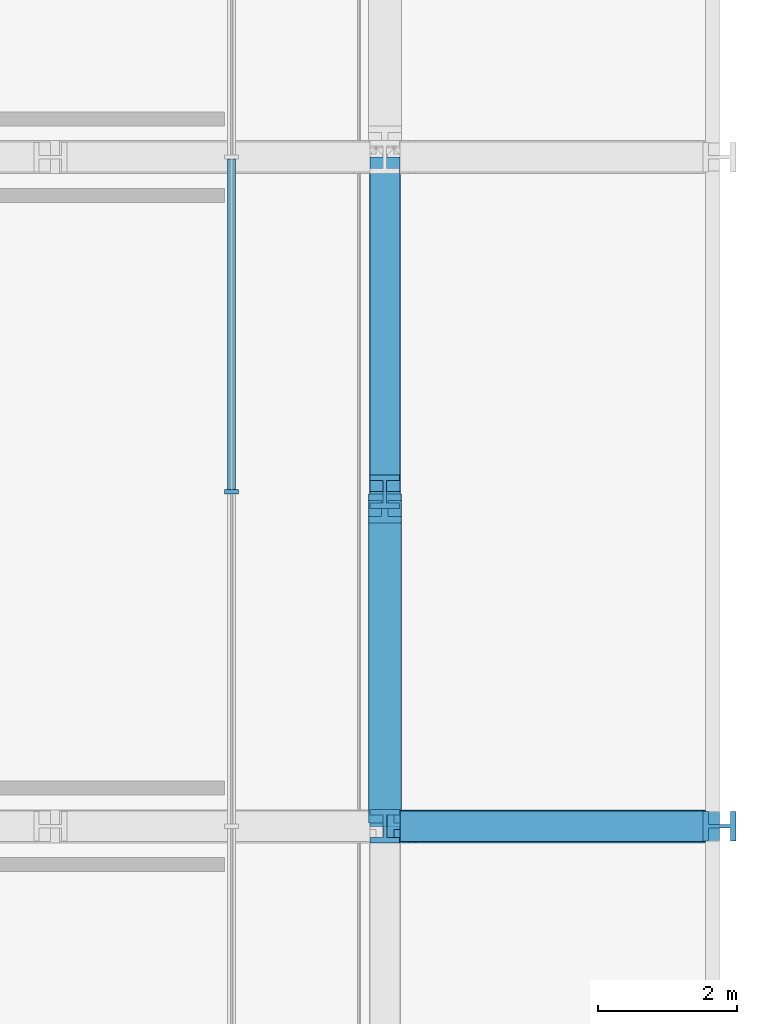
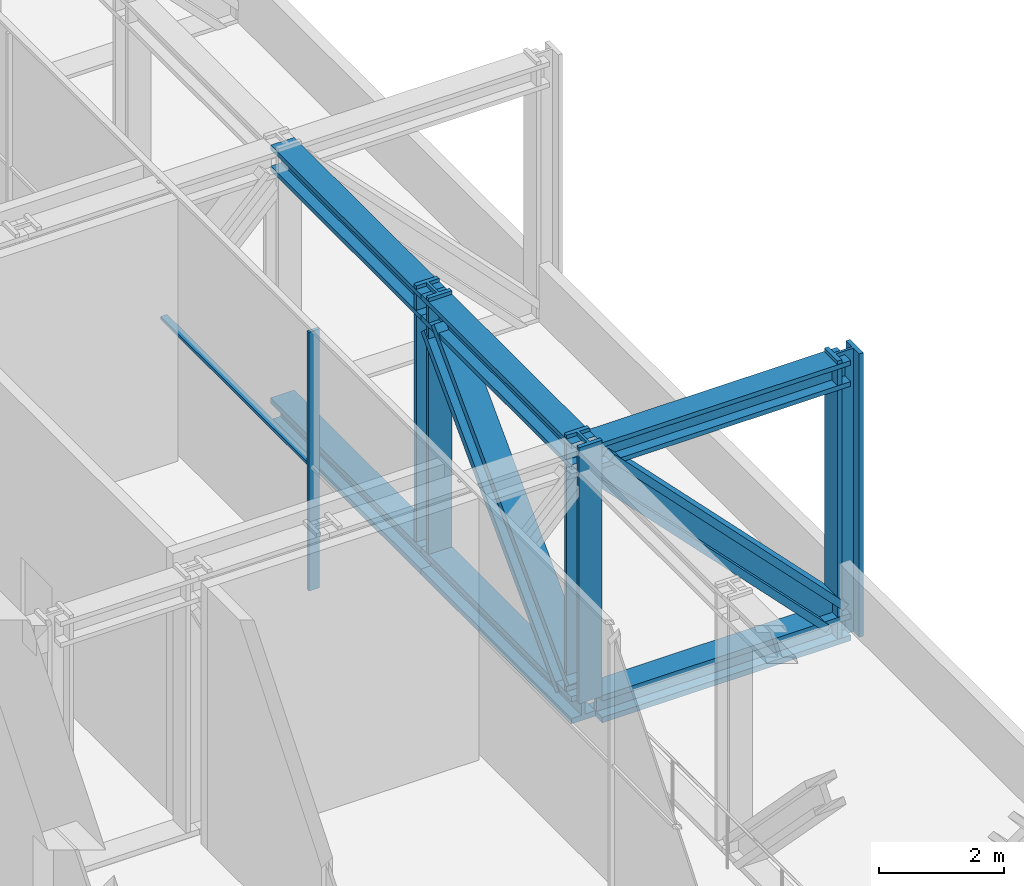
# One storey, part 10 of 25: 13 members, 1 element without a shape of its own.
"""IFC4 building model written with IfcOpenShell, lengths in metres."""

from ifc_helpers import new_model, si_unit, direction, frame, origin, origin_2d, place, context, subcontext, project, spatial, rectangle, i_section, extrude, material, layer, layer_set, material_profile, profile_set, type_object, element, aggregate, save


model = new_model("IFC4")

# Units and contexts
model_context = context("Model", 3, precision=1e-05, world=origin(), true_north=direction((0.0, 1.0)))
body_context = subcontext(model_context, "Body", "Model", "MODEL_VIEW")
ifc_project = project(units=[si_unit("LENGTHUNIT", "METRE"), si_unit("AREAUNIT", "SQUARE_METRE"), si_unit("VOLUMEUNIT", "CUBIC_METRE"), si_unit("PLANEANGLEUNIT", "RADIAN"), si_unit("MASSUNIT", "GRAM", prefix="KILO")], contexts=[model_context])

# Site, building, storey
site_placement = place(None, origin())
site = spatial("IfcSite", under=ifc_project, at=site_placement, CompositionType="ELEMENT")
building_placement = place(site_placement, origin())
building = spatial("IfcBuilding", under=site, at=building_placement, Name="Madar Terraces", CompositionType="ELEMENT")
storey_placement = place(building_placement, frame((0.0, 0.0, 113.699951171875)))
storey = spatial("IfcBuildingStorey", under=building, at=storey_placement, Name="L29", CompositionType="ELEMENT", Elevation=113.699951171875)

# Members
ifc_material_1 = material(Name="Steel ASTM A913 Grade 65", Category="steel")
ifc_material_profile_1 = material_profile(ifc_material_1, i_section(OverallWidth=0.44189453125, OverallDepth=0.53076171875, WebThickness=0.06591796875, FlangeThickness=0.105712890625, at=origin_2d()), Name="W14x605")
ifc_profile_set_1 = profile_set([ifc_material_profile_1], Name="Steel ASTM A913 Grade 65")
member_type_1 = type_object("IfcMemberType", Name="BC4 W14x605", PredefinedType="CHORD", material=ifc_profile_set_1)
member_1_placement = place(storey_placement, frame((57.60009765625, 28.800048828125, -0.154541015625), z_axis=(0.0, 1.0, 0.0), x_axis=(-1.0, 0.0, 0.0)))
element("IfcMember", 1, at=member_1_placement, inside=storey, type_object=member_type_1, Name="Exoskeleton truss ring bottom chord BC4", PredefinedType="CHORD", context=body_context, shape_type="SweptSolid", body=[
    extrude(i_section(OverallWidth=0.44189453125, OverallDepth=0.53076171875, WebThickness=0.06591796875, FlangeThickness=0.105712890625, at=origin_2d()), origin(), (0.0, 0.0, 1.0), 4.800048828125),
])
member_2_placement = place(storey_placement, frame((57.60009765625, 33.60009765625, -0.154541015625), z_axis=(0.0, 1.0, 0.0), x_axis=(-1.0, 0.0, 0.0)))
element("IfcMember", 2, at=member_2_placement, inside=storey, type_object=member_type_1, Name="Exoskeleton truss ring bottom chord BC4", PredefinedType="CHORD", context=body_context, shape_type="SweptSolid", body=[
    extrude(i_section(OverallWidth=0.44189453125, OverallDepth=0.53076171875, WebThickness=0.06591796875, FlangeThickness=0.105712890625, at=origin_2d()), origin(), (0.0, 0.0, 1.0), 4.7998046875),
])
member_3_placement = place(storey_placement, frame((62.39990234375, 28.800048828125, -0.154541015625), z_axis=(-1.0, 0.0, 0.0), x_axis=(0.0, -1.0, 0.0)))
element("IfcMember", 3, at=member_3_placement, inside=storey, type_object=member_type_1, Name="Exoskeleton truss cross E28.8 bottom chord BC4", PredefinedType="CHORD", context=body_context, shape_type="SweptSolid", body=[
    extrude(i_section(OverallWidth=0.44189453125, OverallDepth=0.53076171875, WebThickness=0.06591796875, FlangeThickness=0.105712890625, at=origin_2d()), origin(), (0.0, 0.0, 1.0), 4.578857421875),
])

# Curtain wall, members
ifc_material_2 = material(Name="Glass, ceramic frit dark grey, with black aluminium frame", Category="aluminium")
ifc_layer = layer(ifc_material_2, 0.199951171875)
ifc_layer_set = layer_set([ifc_layer], Name="Facade curtain wall, tall glazing")
curtain_wall_type = type_object("IfcCurtainWallType", Name="Facade curtain wall, tall glazing", PredefinedType="NOTDEFINED", material=ifc_layer_set)
curtain_wall_placement = place(storey_placement, origin())
curtain_wall = element("IfcCurtainWall", 4, at=curtain_wall_placement, inside=storey, type_object=curtain_wall_type, Name="Outer skin curtain wall east bay 1", PredefinedType="NOTDEFINED")
ifc_material_3 = material(Name="Aluminium, black anodised", Category="aluminium")
ifc_material_profile_2 = material_profile(ifc_material_3, rectangle(XDim=0.199951171875, YDim=0.06005859375, at=origin_2d()), Name="Facade mullion 60x200")
ifc_profile_set_2 = profile_set([ifc_material_profile_2], Name="Aluminium, black anodised")
member_type_2 = type_object("IfcMemberType", Name="Facade mullion 60x200", PredefinedType="MULLION", material=ifc_profile_set_2)
member_4_placement = place(storey_placement, frame((55.39990234375, 33.60009765625, 0.0), z_axis=(0.0, 0.0, 1.0), x_axis=(-1.0, 0.0, 0.0)))
member_4 = element("IfcMember", 5, at=member_4_placement, type_object=member_type_2, Name="Mullion 5", PredefinedType="MULLION", context=body_context, shape_type="SweptSolid", body=[
    extrude(rectangle(XDim=0.199951171875, YDim=0.06005859375, at=origin_2d()), origin(), (0.0, 0.0, 1.0), 5.0400390625),
])
ifc_material_4 = material(Name="Aluminium, black anodised", Category="aluminium")
ifc_material_profile_3 = material_profile(ifc_material_4, rectangle(XDim=0.1201171875, YDim=0.06005859375, at=origin_2d()), Name="Facade transom 60x120")
ifc_profile_set_3 = profile_set([ifc_material_profile_3], Name="Aluminium, black anodised")
member_type_3 = type_object("IfcMemberType", Name="Facade transom 60x120", PredefinedType="USERDEFINED", material=ifc_profile_set_3)
member_5_placement = place(storey_placement, frame((55.39990234375, 33.6298828125, 2.400146484375), z_axis=(0.0, 1.0, 0.0), x_axis=(-1.0, 0.0, 0.0)))
member_5 = element("IfcMember", 6, at=member_5_placement, type_object=member_type_3, Name="Transom 7", ObjectType="TRANSOM", PredefinedType="USERDEFINED", context=body_context, shape_type="SweptSolid", body=[
    extrude(rectangle(XDim=0.1201171875, YDim=0.06005859375, at=origin_2d()), origin(), (0.0, 0.0, 1.0), 4.740234375),
])
aggregate(curtain_wall, [member_4, member_5])

# Members
ifc_material_5 = material(Name="Steel ASTM A913 Grade 65", Category="steel")
ifc_material_profile_4 = material_profile(ifc_material_5, i_section(OverallWidth=0.431884765625, OverallDepth=0.497802734375, WebThickness=0.0556640625, FlangeThickness=0.0888671875, at=origin_2d()), Name="W14x500")
ifc_profile_set_4 = profile_set([ifc_material_profile_4], Name="Steel ASTM A913 Grade 65")
member_type_4 = type_object("IfcMemberType", Name="TC4 W14x500", PredefinedType="CHORD", material=ifc_profile_set_4)
member_6_placement = place(storey_placement, frame((57.60009765625, 28.800048828125, 4.78125), z_axis=(0.0, 1.0, 0.0), x_axis=(-1.0, 0.0, 0.0)))
element("IfcMember", 7, at=member_6_placement, inside=storey, type_object=member_type_4, Name="Exoskeleton truss ring top chord TC4", PredefinedType="CHORD", context=body_context, shape_type="SweptSolid", body=[
    extrude(i_section(OverallWidth=0.431884765625, OverallDepth=0.497802734375, WebThickness=0.0556640625, FlangeThickness=0.0888671875, at=origin_2d()), origin(), (0.0, 0.0, 1.0), 4.800048828125),
])
member_7_placement = place(storey_placement, frame((57.60009765625, 33.60009765625, 4.78125), z_axis=(0.0, 1.0, 0.0), x_axis=(-1.0, 0.0, 0.0)))
element("IfcMember", 8, at=member_7_placement, inside=storey, type_object=member_type_4, Name="Exoskeleton truss ring top chord TC4", PredefinedType="CHORD", context=body_context, shape_type="SweptSolid", body=[
    extrude(i_section(OverallWidth=0.431884765625, OverallDepth=0.497802734375, WebThickness=0.0556640625, FlangeThickness=0.0888671875, at=origin_2d()), origin(), (0.0, 0.0, 1.0), 4.7998046875),
])
member_8_placement = place(storey_placement, frame((62.39990234375, 28.800048828125, 4.78125), z_axis=(-1.0, 0.0, 0.0), x_axis=(0.0, -1.0, 0.0)))
element("IfcMember", 9, at=member_8_placement, inside=storey, type_object=member_type_4, Name="Exoskeleton truss cross E28.8 top chord TC4", PredefinedType="CHORD", context=body_context, shape_type="SweptSolid", body=[
    extrude(i_section(OverallWidth=0.431884765625, OverallDepth=0.497802734375, WebThickness=0.0556640625, FlangeThickness=0.0888671875, at=origin_2d()), origin(), (0.0, 0.0, 1.0), 4.583984375),
])
ifc_material_6 = material(Name="Steel ASTM A913 Grade 65", Category="steel")
ifc_material_profile_5 = material_profile(ifc_material_6, i_section(OverallWidth=0.472412109375, OverallDepth=0.5791015625, WebThickness=0.094970703125, FlangeThickness=0.130126953125, at=origin_2d()), Name="W14x808")
ifc_profile_set_5 = profile_set([ifc_material_profile_5], Name="Steel ASTM A913 Grade 65")
member_type_5 = type_object("IfcMemberType", Name="TD4 W14x808", PredefinedType="BRACE", material=ifc_profile_set_5)
for number, where, z_axis, x_axis, name in (
    (10, (57.60009765625, 29.05810546875, 0.11083984375), (0.0, 0.697181267802, 0.716894887571), (-1.0, 0.0, 0.0), "Exoskeleton truss ring diagonal TD4"),
    (11, (62.141845703125, 28.800048828125, 0.11083984375), (-0.697181267802, 0.0, 0.716894887571), (0.0, -1.0, 0.0), "Exoskeleton truss cross E28.8 diagonal TD4"),
):
    element("IfcMember", number, at=place(storey_placement, frame(where, z_axis=z_axis, x_axis=x_axis)), inside=storey, type_object=member_type_5, Name=name, PredefinedType="BRACE", context=body_context, shape_type="SweptSolid", body=[
        extrude(i_section(OverallWidth=0.472412109375, OverallDepth=0.5791015625, WebThickness=0.094970703125, FlangeThickness=0.130126953125, at=origin_2d()), origin(), (0.0, 0.0, 1.0), 6.16748046875),
    ])
ifc_material_7 = material(Name="Steel ASTM A913 Grade 65", Category="steel")
ifc_material_profile_6 = material_profile(ifc_material_7, i_section(OverallWidth=0.424072265625, OverallDepth=0.47509765625, WebThickness=0.0478515625, FlangeThickness=0.0771484375, at=origin_2d()), Name="W14x426")
ifc_profile_set_6 = profile_set([ifc_material_profile_6], Name="Steel ASTM A913 Grade 65")
member_type_6 = type_object("IfcMemberType", Name="TV4 W14x426", PredefinedType="POST", material=ifc_profile_set_6)
for number, where, z_axis, x_axis, name in (
    (12, (57.60009765625, 28.800048828125, 0.11083984375), (0.0, 0.0, 1.0), (-1.0, 0.0, 0.0), "Exoskeleton truss ring post TV4"),
    (13, (57.60009765625, 33.60009765625, 0.11083984375), (0.0, 0.0, 1.0), (-1.0, 0.0, 0.0), "Exoskeleton truss ring post TV4"),
):
    element("IfcMember", number, at=place(storey_placement, frame(where, z_axis=z_axis, x_axis=x_axis)), inside=storey, type_object=member_type_6, Name=name, PredefinedType="POST", context=body_context, shape_type="SweptSolid", body=[
        extrude(i_section(OverallWidth=0.424072265625, OverallDepth=0.47509765625, WebThickness=0.0478515625, FlangeThickness=0.0771484375, at=origin_2d()), origin(), (0.0, 0.0, 1.0), 4.9892578125),
    ])
member_9_placement = place(storey_placement, frame((62.39990234375, 28.800048828125, -0.419921875), z_axis=(0.0, 0.0, 1.0), x_axis=(0.0, 1.0, 0.0)))
element("IfcMember", 14, at=member_9_placement, inside=storey, type_object=member_type_6, Name="Exoskeleton truss cross E28.8 post TV4", PredefinedType="POST", context=body_context, shape_type="SweptSolid", body=[
    extrude(i_section(OverallWidth=0.424072265625, OverallDepth=0.47509765625, WebThickness=0.0478515625, FlangeThickness=0.0771484375, at=origin_2d()), origin(), (0.0, 0.0, 1.0), 5.52001953125),
])

save(model, "model.ifc")
